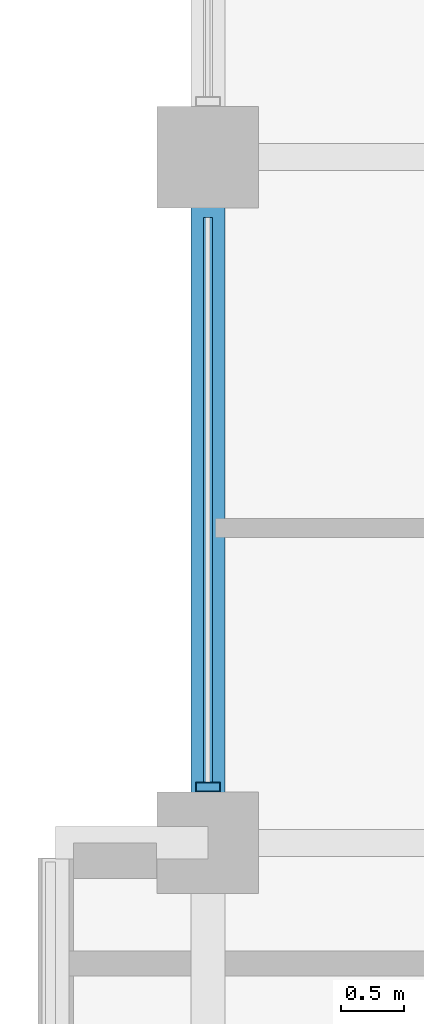
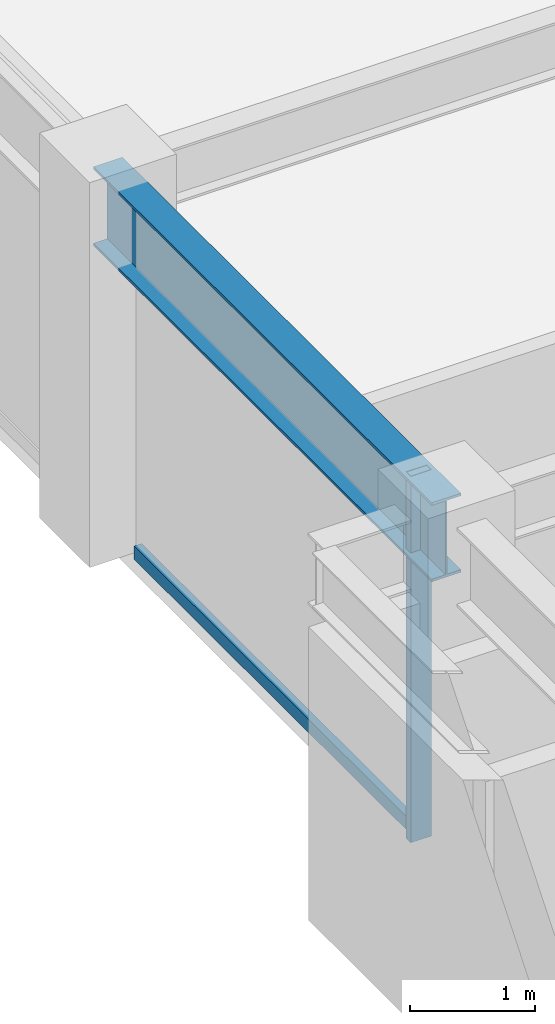
# One storey, part 8 of 30: 2 members, 1 beam, 1 element without a shape of its own.
"""IFC4 building model written with IfcOpenShell, lengths in metres."""

from ifc_helpers import new_model, si_unit, direction, frame, origin, origin_2d, place, context, subcontext, project, spatial, hollow_rectangle, i_section, extrude, material, layer, layer_set, material_profile, profile_set, type_object, element, aggregate, save


model = new_model("IFC4")

# Units and contexts
model_context = context("Model", 3, precision=1e-05, world=origin(), true_north=direction((0.0, 1.0)))
body_context = subcontext(model_context, "Body", "Model", "MODEL_VIEW")
ifc_project = project(units=[si_unit("LENGTHUNIT", "METRE"), si_unit("AREAUNIT", "SQUARE_METRE"), si_unit("VOLUMEUNIT", "CUBIC_METRE"), si_unit("PLANEANGLEUNIT", "RADIAN"), si_unit("MASSUNIT", "GRAM", prefix="KILO")], contexts=[model_context])

# Site, building, storey
site_placement = place(None, origin())
site = spatial("IfcSite", under=ifc_project, at=site_placement, CompositionType="ELEMENT")
building_placement = place(site_placement, origin())
building = spatial("IfcBuilding", under=site, at=building_placement, Name="Surkhivell Harbour Commons", CompositionType="ELEMENT")
storey_placement = place(building_placement, frame((0.0, 0.0, 227.25)))
storey = spatial("IfcBuildingStorey", under=building, at=storey_placement, Name="L59", CompositionType="ELEMENT", Elevation=227.25)

# Beam
ifc_material_1 = material(Name="Steel S355", Category="steel")
ifc_material_profile_1 = material_profile(ifc_material_1, i_section(OverallWidth=0.26806640625, OverallDepth=0.77001953125, WebThickness=0.015625, FlangeThickness=0.025390625, at=origin_2d()), Name="UB762x267x197")
ifc_profile_set_1 = profile_set([ifc_material_profile_1], Name="Steel S355")
beam_type = type_object("IfcBeamType", Name="BM-SPN-762", PredefinedType="SPANDREL", material=ifc_profile_set_1)
beam_placement = place(storey_placement, frame((-27.0, 5.39990234375, 3.18505859375), z_axis=(0.0, 1.0, 0.0), x_axis=(-1.0, 0.0, 0.0)))
element("IfcBeam", 1, at=beam_placement, inside=storey, type_object=beam_type, Name="L59 Tube Spandrel (-27.0,5.4)", PredefinedType="SPANDREL", context=body_context, shape_type="SweptSolid", body=[
    extrude(i_section(OverallWidth=0.26806640625, OverallDepth=0.77001953125, WebThickness=0.015625, FlangeThickness=0.025390625, at=origin_2d()), origin(), (0.0, 0.0, 1.0), 5.400146484375),
])

# Curtain wall, members
ifc_material_2 = material(Name="Anodised pale-metal aluminium and insulated glazing", Category="aluminium")
ifc_layer = layer(ifc_material_2, 0.18994140625)
ifc_layer_set = layer_set([ifc_layer], Name="Anodised pale-metal aluminium and insulated glazing")
curtain_wall_type = type_object("IfcCurtainWallType", Name="CW-SYS-Z3", PredefinedType="NOTDEFINED", material=ifc_layer_set)
curtain_wall_placement = place(storey_placement, origin())
curtain_wall = element("IfcCurtainWall", 2, at=curtain_wall_placement, inside=storey, type_object=curtain_wall_type, Name="L59 Curtain Wall CW-L59-E12R2", PredefinedType="NOTDEFINED")
ifc_material_3 = material(Name="Anodised pale-metal aluminium alloy 6063-T6", Category="aluminium")
ifc_material_profile_2 = material_profile(ifc_material_3, hollow_rectangle(XDim=0.074951171875, YDim=0.18994140625, WallThickness=0.00390625, at=origin_2d()), Name="ALU-MULL-75x190")
ifc_profile_set_2 = profile_set([ifc_material_profile_2], Name="Anodised pale-metal aluminium alloy 6063-T6")
member_type_1 = type_object("IfcMemberType", Name="CWM-190", PredefinedType="MULLION", material=ifc_profile_set_2)
member_1_placement = place(storey_placement, frame((-27.0, 5.839599609375, 0.0), z_axis=(0.0, 0.0, 1.0), x_axis=(0.0, 1.0, 0.0)))
member_1 = element("IfcMember", 3, at=member_1_placement, type_object=member_type_1, Name="CW-Z3 mullion 1", PredefinedType="MULLION", context=body_context, shape_type="SweptSolid", body=[
    extrude(hollow_rectangle(XDim=0.074951171875, YDim=0.18994140625, WallThickness=0.00390625, at=origin_2d()), origin(), (0.0, 0.0, 1.0), 3.570068359375),
])
ifc_material_4 = material(Name="Champagne anodised aluminium alloy 6063-T6", Category="aluminium")
ifc_material_profile_3 = material_profile(ifc_material_4, hollow_rectangle(XDim=0.070068359375, YDim=0.1298828125, WallThickness=0.00341796875, at=origin_2d()), Name="ALU-TRAN-70x130")
ifc_profile_set_3 = profile_set([ifc_material_profile_3], Name="Champagne anodised aluminium alloy 6063-T6")
member_type_2 = type_object("IfcMemberType", Name="CWT-130", PredefinedType="USERDEFINED", material=ifc_profile_set_3)
member_2_placement = place(storey_placement, frame((-27.0, 5.876953125, 0.06494140625), z_axis=(0.0, 1.0, 0.0), x_axis=(-1.0, 0.0, 0.0)))
member_2 = element("IfcMember", 4, at=member_2_placement, type_object=member_type_2, Name="CW-Z3 transom 1.1", ObjectType="TRANSOM", PredefinedType="USERDEFINED", context=body_context, shape_type="SweptSolid", body=[
    extrude(hollow_rectangle(XDim=0.070068359375, YDim=0.1298828125, WallThickness=0.00341796875, at=origin_2d()), origin(), (0.0, 0.0, 1.0), 4.446044921875),
])
aggregate(curtain_wall, [member_1, member_2])

save(model, "model.ifc")
